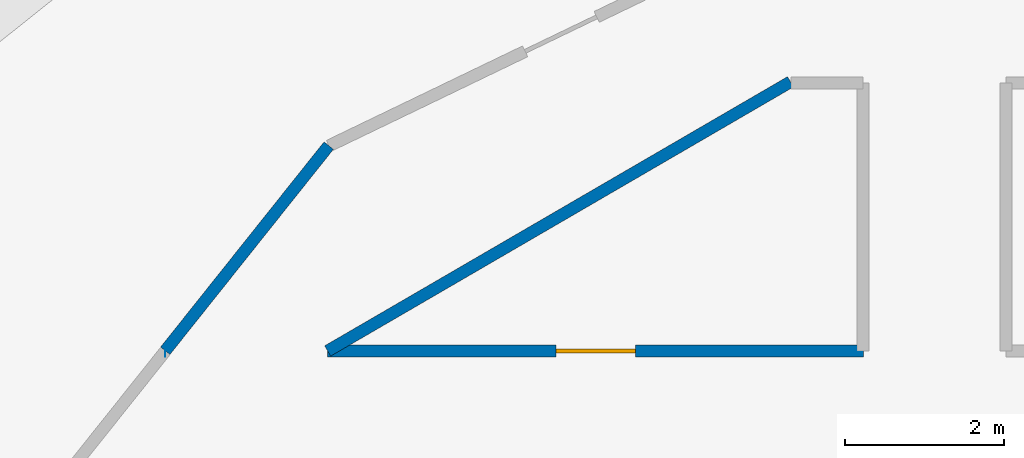
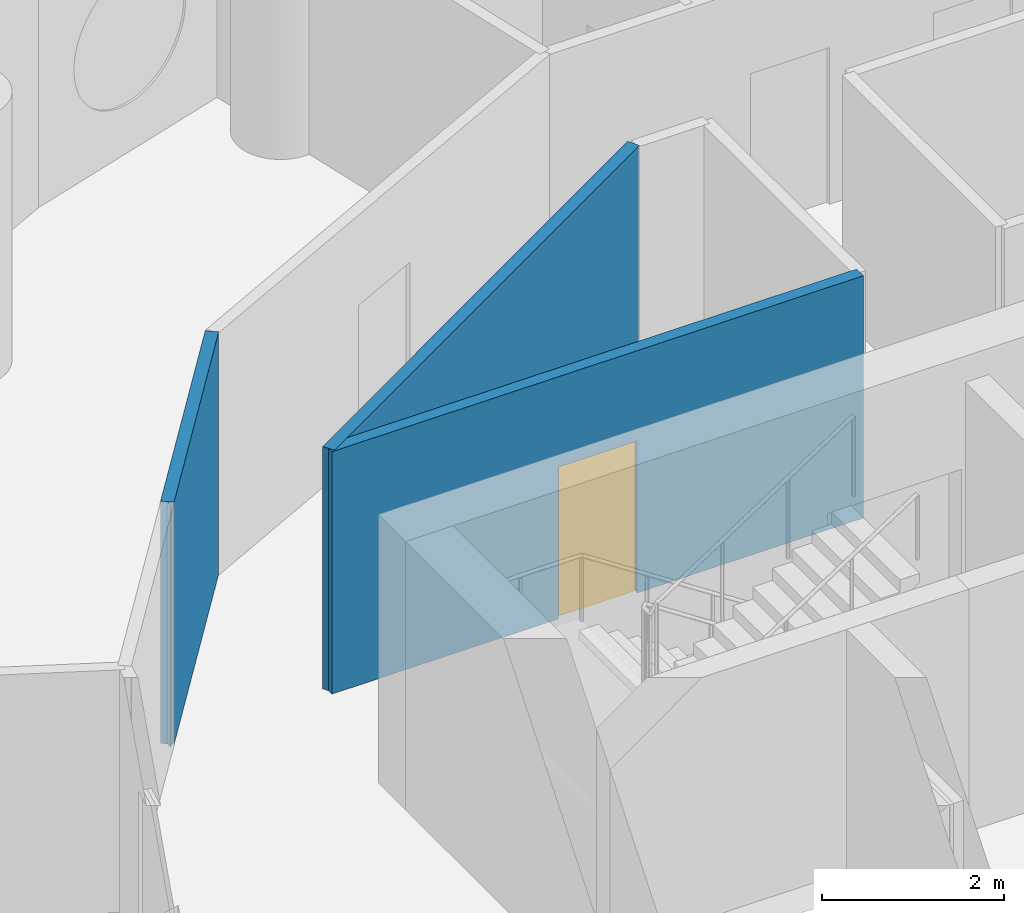
# One storey, part 6 of 12: 4 walls, 1 door, 1 opening.
"""IFC4 building model written with IfcOpenShell, lengths in metres."""

from ifc_helpers import new_model, si_unit, direction, frame, frame_2d, origin, place, context, subcontext, project, spatial, rectangle, extrude, material, layer, layer_set, type_object, element, fill, save


model = new_model("IFC4")

# Units and contexts
model_context = context("Model", 3, precision=1e-05, world=origin(), true_north=direction((0.0, 1.0)))
body_context = subcontext(model_context, "Body", "Model", "MODEL_VIEW")
ifc_project = project(units=[si_unit("LENGTHUNIT", "METRE"), si_unit("AREAUNIT", "SQUARE_METRE"), si_unit("VOLUMEUNIT", "CUBIC_METRE"), si_unit("PLANEANGLEUNIT", "RADIAN"), si_unit("MASSUNIT", "GRAM", prefix="KILO")], contexts=[model_context])

# Site, building, storey
site_placement = place(None, origin())
site = spatial("IfcSite", under=ifc_project, at=site_placement, CompositionType="ELEMENT")
building_placement = place(site_placement, origin())
building = spatial("IfcBuilding", under=site, at=building_placement, Name="Tracery Tower", CompositionType="ELEMENT")
storey_placement = place(building_placement, frame((0.0, 0.0, 245.39990234375)))
storey = spatial("IfcBuildingStorey", under=building, at=storey_placement, Name="L63", CompositionType="ELEMENT", Elevation=245.39990234375)

# Wall
ifc_material_1 = material(Name="Plasterboard on steel studs", Category="steel")
ifc_layer = layer(ifc_material_1, 0.14990234375)
ifc_layer_set = layer_set([ifc_layer], Name="Partition 150 corridor wall")
wall_type = type_object("IfcWallType", Name="Partition 150 corridor wall", PredefinedType="PARTITIONING", material=ifc_layer_set)
wall_1_placement = place(storey_placement, frame((-9.092041015625, 8.800048828125, 0.0), z_axis=(0.0, 0.0, 1.0), x_axis=(0.864470922103, 0.502682827277, 0.0)))
element("IfcWall", 1, at=wall_1_placement, inside=storey, type_object=wall_type, Name="Corridor wall RC2-001", PredefinedType="PARTITIONING", context=body_context, shape_type="SweptSolid", body=[
    extrude(rectangle(XDim=6.7353515625, YDim=0.14990234375, at=frame_2d((3.36767578125, 0.0))), origin(), (0.0, 0.0, 1.0), 3.25),
])

# Wall, opening, door
wall_2_placement = place(storey_placement, frame((-9.092041015625, 8.800048828125, 0.0), z_axis=(0.0, 0.0, 1.0), x_axis=(1.0, 0.0, 0.0)))
wall_2 = element("IfcWall", 2, at=wall_2_placement, inside=storey, type_object=wall_type, Name="Corridor wall RC2-002", PredefinedType="PARTITIONING", context=body_context, shape_type="SweptSolid", body=[
    extrude(rectangle(XDim=6.739990234375, YDim=0.14990234375, at=frame_2d((3.3701171875, 0.0))), origin(), (0.0, 0.0, 1.0), 3.25),
])
opening_placement = place(wall_2_placement, frame((2.8701171875, 0.0, 0.0)))
opening = element("IfcOpeningElement", 3, at=opening_placement, cuts=wall_2, Name="Opening RC2-01", PredefinedType="OPENING", context=body_context, shape_type="SweptSolid", body=[
    extrude(rectangle(XDim=1.0, YDim=2.0400390625, at=frame_2d((0.5, 1.02001953125))), frame((0.0, 0.074951171875, 0.0), z_axis=(0.0, -1.0, 0.0), x_axis=(1.0, 0.0, 0.0)), (0.0, 0.0, 1.0), 0.14990234375),
])
ifc_material_2 = material(Name="Timber door leaf", Category="wood")
door_type = type_object("IfcDoorType", Name="Door communal room 1000", OperationType="NOTDEFINED", PredefinedType="DOOR", material=ifc_material_2)
door_placement = place(opening_placement, origin())
door = element("IfcDoor", 4, at=door_placement, inside=storey, type_object=door_type, Name="Communal room door RC2-01", OperationType="SINGLE_SWING_RIGHT", OverallHeight=2.0400390625, OverallWidth=1.0, PredefinedType="DOOR", context=body_context, shape_type="SweptSolid", body=[
    extrude(rectangle(XDim=1.0, YDim=2.0400390625, at=frame_2d((0.5, 1.02001953125))), frame((0.0, 0.02490234375, 0.0), z_axis=(0.0, -1.0, 0.0), x_axis=(1.0, 0.0, 0.0)), (0.0, 0.0, 1.0), 0.050048828125),
])
fill(opening, door)

# Walls
wall_3_placement = place(storey_placement, frame((-11.134033203125, 8.800048828125, 0.0), z_axis=(0.0, 0.0, 1.0), x_axis=(-1.0, 0.0, 0.0)))
element("IfcWall", 5, at=wall_3_placement, inside=storey, type_object=wall_type, Name="Corridor wall RC2-009", PredefinedType="PARTITIONING", context=body_context, shape_type="SweptSolid", body=[
    extrude(rectangle(XDim=0.0029296875, YDim=0.14990234375, at=frame_2d((0.00146484375, 0.0))), origin(), (0.0, 0.0, 1.0), 3.25),
])
wall_4_placement = place(storey_placement, frame((-11.135986328125, 8.802001953125, 0.0), z_axis=(0.0, 0.0, 1.0), x_axis=(0.623151397235, 0.782101231379, 0.0)))
element("IfcWall", 6, at=wall_4_placement, inside=storey, type_object=wall_type, Name="Corridor wall RC2-010", PredefinedType="PARTITIONING", context=body_context, shape_type="SweptSolid", body=[
    extrude(rectangle(XDim=3.30078125, YDim=0.14990234375, at=frame_2d((1.650390625, 0.0))), origin(), (0.0, 0.0, 1.0), 3.25),
])

save(model, "model.ifc")
